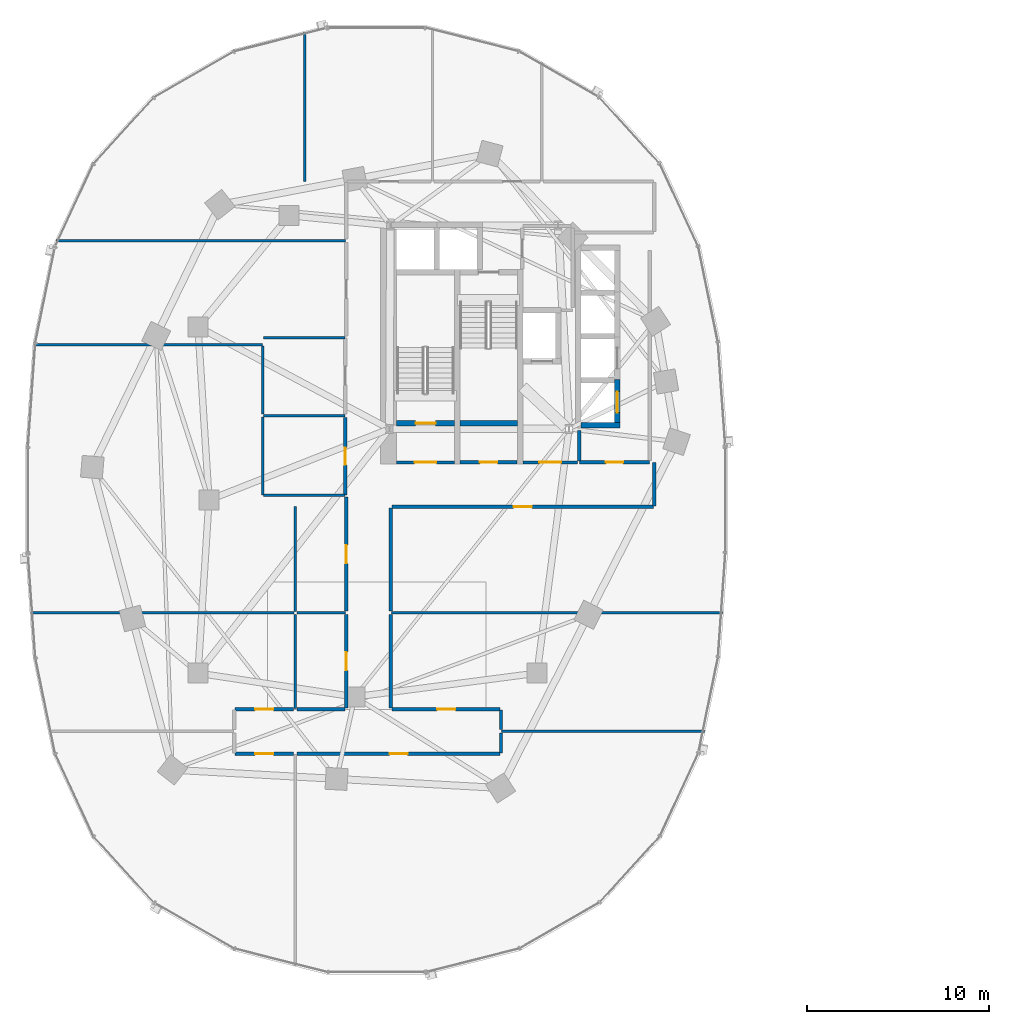
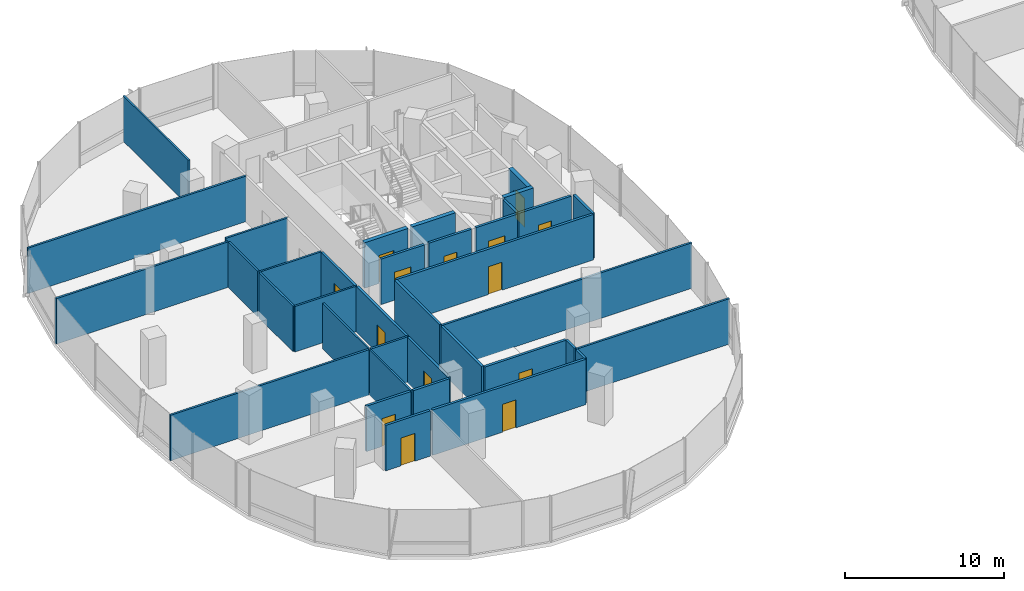
# One storey, part 11 of 22: 37 walls, 14 doors, 14 openings.
"""IFC4 building model written with IfcOpenShell, lengths in metres."""

from ifc_helpers import new_model, si_unit, direction, frame, frame_2d, origin, place, context, subcontext, project, spatial, rectangle, extrude, material, layer, layer_set, type_object, element, fill, save


model = new_model("IFC4")

# Units and contexts
model_context = context("Model", 3, precision=1e-05, world=origin(), true_north=direction((0.0, 1.0)))
body_context = subcontext(model_context, "Body", "Model", "MODEL_VIEW")
ifc_project = project(units=[si_unit("LENGTHUNIT", "METRE"), si_unit("AREAUNIT", "SQUARE_METRE"), si_unit("VOLUMEUNIT", "CUBIC_METRE"), si_unit("PLANEANGLEUNIT", "RADIAN"), si_unit("MASSUNIT", "GRAM", prefix="KILO"), si_unit("THERMODYNAMICTEMPERATUREUNIT", "KELVIN"), si_unit("POWERUNIT", "WATT")], contexts=[model_context])

# Site, building, storey
site_placement = place(None, origin())
site = spatial("IfcSite", under=ifc_project, at=site_placement, CompositionType="ELEMENT")
building_placement = place(site_placement, origin())
building = spatial("IfcBuilding", under=site, at=building_placement, Name="Cundina Bronze Exchange", CompositionType="ELEMENT")
storey_placement = place(building_placement, frame((0.0, 0.0, 35.39990234375)))
storey = spatial("IfcBuildingStorey", under=building, at=storey_placement, Name="L08", CompositionType="ELEMENT", Elevation=35.39990234375)

# Wall
ifc_material_1 = material(Name="Gypsum Fireboard Partition EI120")
ifc_layer_1 = layer(ifc_material_1, 0.179931640625, Name="Gypsum Fireboard Partition EI120")
ifc_layer_set_1 = layer_set([ifc_layer_1], Name="Gypsum Fireboard Partition EI120")
wall_type_1 = type_object("IfcWallType", Name="WL-COR-180", PredefinedType="PARTITIONING", material=ifc_layer_set_1)
wall_1_placement = place(storey_placement, frame((-20.889892578125, 2.14990234375, 0.0), z_axis=(0.0, 0.0, 1.0), x_axis=(0.0, 1.0, 0.0)))
element("IfcWall", 1, at=wall_1_placement, inside=storey, type_object=wall_type_1, Name="L08 W Firefighting Lobby Side Wall", PredefinedType="PARTITIONING", context=body_context, shape_type="SweptSolid", body=[
    extrude(rectangle(XDim=1.650146484375, YDim=0.179931640625, at=frame_2d((0.8251953125, 0.0))), origin(), (0.0, 0.0, 1.0), 3.5),
])

# Wall, opening, door
wall_2_placement = place(storey_placement, frame((-23.97998046875, 2.06005859375, 0.0), z_axis=(0.0, 0.0, 1.0), x_axis=(1.0, 0.0, 0.0)))
wall_2 = element("IfcWall", 2, at=wall_2_placement, inside=storey, type_object=wall_type_1, Name="L08 W Firefighting Lobby Exit Wall", PredefinedType="PARTITIONING", context=body_context, shape_type="SweptSolid", body=[
    extrude(rectangle(XDim=3.0, YDim=0.179931640625, at=frame_2d((1.5, 0.0))), origin(), (0.0, 0.0, 1.0), 3.5),
])
opening_1_placement = place(wall_2_placement, frame((0.89990234375, 0.0, 0.0)))
opening_1 = element("IfcOpeningElement", 3, at=opening_1_placement, cuts=wall_2, Name="Opening DF-01", PredefinedType="OPENING", context=body_context, shape_type="SweptSolid", body=[
    extrude(rectangle(XDim=1.199951171875, YDim=2.14990234375, at=frame_2d((0.60009765625, 1.074951171875))), frame((0.0, 0.099853515625, 0.0), z_axis=(0.0, -1.0, 0.0), x_axis=(1.0, 0.0, 0.0)), (0.0, 0.0, 1.0), 0.199951171875),
])
ifc_material_2 = material(Name="Steel ASTM A36 Painted", Category="steel")
door_type_1 = type_object("IfcDoorType", Name="DR-FFL-1200", OperationType="NOTDEFINED", PredefinedType="DOOR", material=ifc_material_2)
door_1_placement = place(opening_1_placement, origin())
door_1 = element("IfcDoor", 4, at=door_1_placement, inside=storey, type_object=door_type_1, Name="L08 W Firefighting Lobby Door", OperationType="SINGLE_SWING_RIGHT", OverallHeight=2.14990234375, OverallWidth=1.199951171875, PredefinedType="DOOR", context=body_context, shape_type="SweptSolid", body=[
    extrude(rectangle(XDim=1.199951171875, YDim=2.14990234375, at=frame_2d((0.60009765625, 1.074951171875))), frame((0.0, 0.02490234375, 0.0), z_axis=(0.0, -1.0, 0.0), x_axis=(1.0, 0.0, 0.0)), (0.0, 0.0, 1.0), 0.050048828125),
])
fill(opening_1, door_1)

wall_3_placement = place(storey_placement, frame((-30.89990234375, 2.06005859375, 0.0), z_axis=(0.0, 0.0, 1.0), x_axis=(1.0, 0.0, 0.0)))
wall_3 = element("IfcWall", 5, at=wall_3_placement, inside=storey, type_object=wall_type_1, Name="L08 W Stair Vestibule Exit Wall", PredefinedType="PARTITIONING", context=body_context, shape_type="SweptSolid", body=[
    extrude(rectangle(XDim=3.159912109375, YDim=0.179931640625, at=frame_2d((1.580078125, 0.0))), origin(), (0.0, 0.0, 1.0), 3.5),
])
opening_2_placement = place(wall_3_placement, frame((0.97998046875, 0.0, 0.0)))
opening_2 = element("IfcOpeningElement", 6, at=opening_2_placement, cuts=wall_3, Name="Opening DF-01", PredefinedType="OPENING", context=body_context, shape_type="SweptSolid", body=[
    extrude(rectangle(XDim=1.199951171875, YDim=2.14990234375, at=frame_2d((0.60009765625, 1.074951171875))), frame((0.0, 0.099853515625, 0.0), z_axis=(0.0, -1.0, 0.0), x_axis=(1.0, 0.0, 0.0)), (0.0, 0.0, 1.0), 0.199951171875),
])
door_2_placement = place(opening_2_placement, origin())
door_2 = element("IfcDoor", 7, at=door_2_placement, inside=storey, type_object=door_type_1, Name="L08 W Stair Vestibule Door", OperationType="SINGLE_SWING_LEFT", OverallHeight=2.14990234375, OverallWidth=1.199951171875, PredefinedType="DOOR", context=body_context, shape_type="SweptSolid", body=[
    extrude(rectangle(XDim=1.199951171875, YDim=2.14990234375, at=frame_2d((0.60009765625, 1.074951171875))), frame((0.0, 0.02490234375, 0.0), z_axis=(0.0, -1.0, 0.0), x_axis=(1.0, 0.0, 0.0)), (0.0, 0.0, 1.0), 0.050048828125),
])
fill(opening_2, door_2)

wall_4_placement = place(storey_placement, frame((-20.8701171875, 2.070068359375, 0.0), z_axis=(0.0, 0.0, 1.0), x_axis=(1.0, 0.0, 0.0)))
wall_4 = element("IfcWall", 8, at=wall_4_placement, inside=storey, type_object=wall_type_1, Name="L08 Interior Partition 002", PredefinedType="PARTITIONING", context=body_context, shape_type="SweptSolid", body=[
    extrude(rectangle(XDim=3.830078125, YDim=0.179931640625, at=frame_2d((1.9150390625, 0.0))), origin(), (0.0, 0.0, 1.0), 3.5),
])
opening_3_placement = place(wall_4_placement, frame((1.43994140625, 0.0, 0.0)))
opening_3 = element("IfcOpeningElement", 9, at=opening_3_placement, cuts=wall_4, Name="Opening DW-01", PredefinedType="OPENING", context=body_context, shape_type="SweptSolid", body=[
    extrude(rectangle(XDim=0.949951171875, YDim=2.10009765625, at=frame_2d((0.47509765625, 1.050048828125))), frame((0.0, 0.099853515625, 0.0), z_axis=(0.0, -1.0, 0.0), x_axis=(1.0, 0.0, 0.0)), (0.0, 0.0, 1.0), 0.199951171875),
])
ifc_material_3 = material(Name="Solid Andean Oak Timber Grade A", Category="wood")
door_type_2 = type_object("IfcDoorType", Name="DR-WC-950", OperationType="NOTDEFINED", PredefinedType="DOOR", material=ifc_material_3)
door_3_placement = place(opening_3_placement, origin())
door_3 = element("IfcDoor", 10, at=door_3_placement, inside=storey, type_object=door_type_2, Name="L08 Interior Door 002", OperationType="SINGLE_SWING_LEFT", OverallHeight=2.10009765625, OverallWidth=0.949951171875, PredefinedType="DOOR", context=body_context, shape_type="SweptSolid", body=[
    extrude(rectangle(XDim=0.949951171875, YDim=2.10009765625, at=frame_2d((0.47509765625, 1.050048828125))), frame((0.0, 0.02490234375, 0.0), z_axis=(0.0, -1.0, 0.0), x_axis=(1.0, 0.0, 0.0)), (0.0, 0.0, 1.0), 0.050048828125),
])
fill(opening_3, door_3)

wall_5_placement = place(storey_placement, frame((-27.419921875, 2.070068359375, 0.0), z_axis=(0.0, 0.0, 1.0), x_axis=(1.0, 0.0, 0.0)))
wall_5 = element("IfcWall", 11, at=wall_5_placement, inside=storey, type_object=wall_type_1, Name="L08 Interior Partition 006", PredefinedType="PARTITIONING", context=body_context, shape_type="SweptSolid", body=[
    extrude(rectangle(XDim=3.119873046875, YDim=0.179931640625, at=frame_2d((1.56005859375, 0.0))), origin(), (0.0, 0.0, 1.0), 3.5),
])
opening_4_placement = place(wall_5_placement, frame((1.0849609375, 0.0, 0.0)))
opening_4 = element("IfcOpeningElement", 12, at=opening_4_placement, cuts=wall_5, Name="Opening DW-01", PredefinedType="OPENING", context=body_context, shape_type="SweptSolid", body=[
    extrude(rectangle(XDim=0.949951171875, YDim=2.10009765625, at=frame_2d((0.47509765625, 1.050048828125))), frame((0.0, 0.099853515625, 0.0), z_axis=(0.0, -1.0, 0.0), x_axis=(1.0, 0.0, 0.0)), (0.0, 0.0, 1.0), 0.199951171875),
])
door_4_placement = place(opening_4_placement, origin())
door_4 = element("IfcDoor", 13, at=door_4_placement, inside=storey, type_object=door_type_2, Name="L08 Interior Door 006", OperationType="SINGLE_SWING_LEFT", OverallHeight=2.10009765625, OverallWidth=0.949951171875, PredefinedType="DOOR", context=body_context, shape_type="SweptSolid", body=[
    extrude(rectangle(XDim=0.949951171875, YDim=2.10009765625, at=frame_2d((0.47509765625, 1.050048828125))), frame((0.0, 0.02490234375, 0.0), z_axis=(0.0, -1.0, 0.0), x_axis=(1.0, 0.0, 0.0)), (0.0, 0.0, 1.0), 0.050048828125),
])
fill(opening_4, door_4)

wall_6_placement = place(storey_placement, frame((-33.719970703125, 0.27001953125, 0.0), z_axis=(0.0, 0.0, 1.0), x_axis=(0.0, 1.0, 0.0)))
wall_6 = element("IfcWall", 14, at=wall_6_placement, inside=storey, type_object=wall_type_1, Name="L08 Interior Partition 013", PredefinedType="PARTITIONING", context=body_context, shape_type="SweptSolid", body=[
    extrude(rectangle(XDim=4.260009765625, YDim=0.179931640625, at=frame_2d((2.1298828125, 0.0))), origin(), (0.0, 0.0, 1.0), 3.5),
])
opening_5_placement = place(wall_6_placement, frame((1.655029296875, 0.0, 0.0)))
opening_5 = element("IfcOpeningElement", 15, at=opening_5_placement, cuts=wall_6, Name="Opening DW-01", PredefinedType="OPENING", context=body_context, shape_type="SweptSolid", body=[
    extrude(rectangle(XDim=0.949951171875, YDim=2.10009765625, at=frame_2d((0.47509765625, 1.050048828125))), frame((0.0, 0.099853515625, 0.0), z_axis=(0.0, -1.0, 0.0), x_axis=(1.0, 0.0, 0.0)), (0.0, 0.0, 1.0), 0.199951171875),
])
door_5_placement = place(opening_5_placement, origin())
door_5 = element("IfcDoor", 16, at=door_5_placement, inside=storey, type_object=door_type_2, Name="L08 Interior Door 013", OperationType="SINGLE_SWING_LEFT", OverallHeight=2.10009765625, OverallWidth=0.949951171875, PredefinedType="DOOR", context=body_context, shape_type="SweptSolid", body=[
    extrude(rectangle(XDim=0.949951171875, YDim=2.10009765625, at=frame_2d((0.47509765625, 1.050048828125))), frame((0.0, 0.02490234375, 0.0), z_axis=(0.0, -1.0, 0.0), x_axis=(1.0, 0.0, 0.0)), (0.0, 0.0, 1.0), 0.050048828125),
])
fill(opening_5, door_5)

wall_7_placement = place(storey_placement, frame((-36.3701171875, -13.919921875, 0.0), z_axis=(0.0, 0.0, 1.0), x_axis=(1.0, 0.0, 0.0)))
wall_7 = element("IfcWall", 17, at=wall_7_placement, inside=storey, type_object=wall_type_1, Name="L08 Interior Partition 028", PredefinedType="PARTITIONING", context=body_context, shape_type="SweptSolid", body=[
    extrude(rectangle(XDim=11.148681640625, YDim=0.179931640625, at=frame_2d((5.57421875, 0.0))), origin(), (0.0, 0.0, 1.0), 3.5),
])
opening_6_placement = place(wall_7_placement, frame((5.07421875, 0.0, 0.0)))
opening_6 = element("IfcOpeningElement", 18, at=opening_6_placement, cuts=wall_7, Name="Opening DO-01", PredefinedType="OPENING", context=body_context, shape_type="SweptSolid", body=[
    extrude(rectangle(XDim=1.0, YDim=2.14990234375, at=frame_2d((0.5, 1.074951171875))), frame((0.0, 0.099853515625, 0.0), z_axis=(0.0, -1.0, 0.0), x_axis=(1.0, 0.0, 0.0)), (0.0, 0.0, 1.0), 0.199951171875),
])
door_type_3 = type_object("IfcDoorType", Name="DR-OFF-1000", OperationType="NOTDEFINED", PredefinedType="DOOR", material=ifc_material_3)
door_6_placement = place(opening_6_placement, origin())
door_6 = element("IfcDoor", 19, at=door_6_placement, inside=storey, type_object=door_type_3, Name="L08 Interior Door 028", OperationType="SINGLE_SWING_LEFT", OverallHeight=2.14990234375, OverallWidth=1.0, PredefinedType="DOOR", context=body_context, shape_type="SweptSolid", body=[
    extrude(rectangle(XDim=1.0, YDim=2.14990234375, at=frame_2d((0.5, 1.074951171875))), frame((0.0, 0.02490234375, 0.0), z_axis=(0.0, -1.0, 0.0), x_axis=(1.0, 0.0, 0.0)), (0.0, 0.0, 1.0), 0.050048828125),
])
fill(opening_6, door_6)

# Wall
wall_8_placement = place(storey_placement, frame((-25.179931640625, -13.87841796875, 0.0), z_axis=(0.0, 0.0, 1.0), x_axis=(0.0, 1.0, 0.0)))
element("IfcWall", 20, at=wall_8_placement, inside=storey, type_object=wall_type_1, Name="L08 Interior Partition 029", PredefinedType="PARTITIONING", context=body_context, shape_type="SweptSolid", body=[
    extrude(rectangle(XDim=1.098388671875, YDim=0.179931640625, at=frame_2d((0.54931640625, 0.0))), origin(), (0.0, 0.0, 1.0), 3.5),
])

# Wall, opening, door
wall_9_placement = place(storey_placement, frame((-39.778564453125, -13.919921875, 0.0), z_axis=(0.0, 0.0, 1.0), x_axis=(1.0, 0.0, 0.0)))
wall_9 = element("IfcWall", 21, at=wall_9_placement, inside=storey, type_object=wall_type_1, Name="L08 Interior Partition 030", PredefinedType="PARTITIONING", context=body_context, shape_type="SweptSolid", body=[
    extrude(rectangle(XDim=3.228515625, YDim=0.179931640625, at=frame_2d((1.6142578125, 0.0))), origin(), (0.0, 0.0, 1.0), 3.5),
])
opening_7_placement = place(wall_9_placement, frame((1.1142578125, 0.0, 0.0)))
opening_7 = element("IfcOpeningElement", 22, at=opening_7_placement, cuts=wall_9, Name="Opening DO-01", PredefinedType="OPENING", context=body_context, shape_type="SweptSolid", body=[
    extrude(rectangle(XDim=1.0, YDim=2.14990234375, at=frame_2d((0.5, 1.074951171875))), frame((0.0, 0.099853515625, 0.0), z_axis=(0.0, -1.0, 0.0), x_axis=(1.0, 0.0, 0.0)), (0.0, 0.0, 1.0), 0.199951171875),
])
door_7_placement = place(opening_7_placement, origin())
door_7 = element("IfcDoor", 23, at=door_7_placement, inside=storey, type_object=door_type_3, Name="L08 Interior Door 030", OperationType="SINGLE_SWING_LEFT", OverallHeight=2.14990234375, OverallWidth=1.0, PredefinedType="DOOR", context=body_context, shape_type="SweptSolid", body=[
    extrude(rectangle(XDim=1.0, YDim=2.14990234375, at=frame_2d((0.5, 1.074951171875))), frame((0.0, 0.02490234375, 0.0), z_axis=(0.0, -1.0, 0.0), x_axis=(1.0, 0.0, 0.0)), (0.0, 0.0, 1.0), 0.050048828125),
])
fill(opening_7, door_7)

wall_10_placement = place(storey_placement, frame((-36.550048828125, -11.47998046875, 0.0), z_axis=(0.0, 0.0, 1.0), x_axis=(-1.0, 0.0, 0.0)))
wall_10 = element("IfcWall", 24, at=wall_10_placement, inside=storey, type_object=wall_type_1, Name="L08 Interior Partition 032", PredefinedType="PARTITIONING", context=body_context, shape_type="SweptSolid", body=[
    extrude(rectangle(XDim=3.228515625, YDim=0.179931640625, at=frame_2d((1.6142578125, 0.0))), origin(), (0.0, 0.0, 1.0), 3.5),
])
opening_8_placement = place(wall_10_placement, frame((1.1142578125, 0.0, 0.0)))
opening_8 = element("IfcOpeningElement", 25, at=opening_8_placement, cuts=wall_10, Name="Opening DO-01", PredefinedType="OPENING", context=body_context, shape_type="SweptSolid", body=[
    extrude(rectangle(XDim=1.0, YDim=2.14990234375, at=frame_2d((0.5, 1.074951171875))), frame((0.0, 0.099853515625, 0.0), z_axis=(0.0, -1.0, 0.0), x_axis=(1.0, 0.0, 0.0)), (0.0, 0.0, 1.0), 0.199951171875),
])
door_8_placement = place(opening_8_placement, origin())
door_8 = element("IfcDoor", 26, at=door_8_placement, inside=storey, type_object=door_type_3, Name="L08 Interior Door 032", OperationType="SINGLE_SWING_RIGHT", OverallHeight=2.14990234375, OverallWidth=1.0, PredefinedType="DOOR", context=body_context, shape_type="SweptSolid", body=[
    extrude(rectangle(XDim=1.0, YDim=2.14990234375, at=frame_2d((0.5, 1.074951171875))), frame((0.0, 0.02490234375, 0.0), z_axis=(0.0, -1.0, 0.0), x_axis=(1.0, 0.0, 0.0)), (0.0, 0.0, 1.0), 0.050048828125),
])
fill(opening_8, door_8)

wall_11_placement = place(storey_placement, frame((-25.221435546875, -11.47998046875, 0.0), z_axis=(0.0, 0.0, 1.0), x_axis=(-1.0, 0.0, 0.0)))
wall_11 = element("IfcWall", 27, at=wall_11_placement, inside=storey, type_object=wall_type_1, Name="L08 Interior Partition 034", PredefinedType="PARTITIONING", context=body_context, shape_type="SweptSolid", body=[
    extrude(rectangle(XDim=5.928466796875, YDim=0.179931640625, at=frame_2d((2.96435546875, 0.0))), origin(), (0.0, 0.0, 1.0), 3.5),
])
opening_9_placement = place(wall_11_placement, frame((2.464111328125, 0.0, 0.0)))
opening_9 = element("IfcOpeningElement", 28, at=opening_9_placement, cuts=wall_11, Name="Opening DO-01", PredefinedType="OPENING", context=body_context, shape_type="SweptSolid", body=[
    extrude(rectangle(XDim=1.0, YDim=2.14990234375, at=frame_2d((0.5, 1.074951171875))), frame((0.0, 0.099853515625, 0.0), z_axis=(0.0, -1.0, 0.0), x_axis=(1.0, 0.0, 0.0)), (0.0, 0.0, 1.0), 0.199951171875),
])
door_9_placement = place(opening_9_placement, origin())
door_9 = element("IfcDoor", 29, at=door_9_placement, inside=storey, type_object=door_type_3, Name="L08 Interior Door 034", OperationType="SINGLE_SWING_LEFT", OverallHeight=2.14990234375, OverallWidth=1.0, PredefinedType="DOOR", context=body_context, shape_type="SweptSolid", body=[
    extrude(rectangle(XDim=1.0, YDim=2.14990234375, at=frame_2d((0.5, 1.074951171875))), frame((0.0, 0.02490234375, 0.0), z_axis=(0.0, -1.0, 0.0), x_axis=(1.0, 0.0, 0.0)), (0.0, 0.0, 1.0), 0.050048828125),
])
fill(opening_9, door_9)

# Walls
wall_12_placement = place(storey_placement, frame((-31.22998046875, -11.39990234375, 0.0), z_axis=(0.0, 0.0, 1.0), x_axis=(0.0, 1.0, 0.0)))
element("IfcWall", 30, at=wall_12_placement, inside=storey, type_object=wall_type_1, Name="L08 Interior Partition 035", PredefinedType="PARTITIONING", context=body_context, shape_type="SweptSolid", body=[
    extrude(rectangle(XDim=5.119873046875, YDim=0.179931640625, at=frame_2d((2.56005859375, 0.0))), origin(), (0.0, 0.0, 1.0), 3.5),
])
wall_13_placement = place(storey_placement, frame((-25.179931640625, -12.60009765625, 0.0), z_axis=(0.0, 0.0, 1.0), x_axis=(0.0, 1.0, 0.0)))
element("IfcWall", 31, at=wall_13_placement, inside=storey, type_object=wall_type_1, Name="L08 Interior Partition 036", PredefinedType="PARTITIONING", context=body_context, shape_type="SweptSolid", body=[
    extrude(rectangle(XDim=1.07861328125, YDim=0.179931640625, at=frame_2d((0.539306640625, 0.0))), origin(), (0.0, 0.0, 1.0), 3.5),
])

# Wall, opening, door
wall_14_placement = place(storey_placement, frame((-33.669921875, -6.280029296875, 0.0), z_axis=(0.0, 0.0, 1.0), x_axis=(0.0, -1.0, 0.0)))
wall_14 = element("IfcWall", 32, at=wall_14_placement, inside=storey, type_object=wall_type_1, Name="L08 Interior Partition 037", PredefinedType="PARTITIONING", context=body_context, shape_type="SweptSolid", body=[
    extrude(rectangle(XDim=5.119873046875, YDim=0.179931640625, at=frame_2d((2.56005859375, 0.0))), origin(), (0.0, 0.0, 1.0), 3.5),
])
opening_10_placement = place(wall_14_placement, frame((2.06005859375, 0.0, 0.0)))
opening_10 = element("IfcOpeningElement", 33, at=opening_10_placement, cuts=wall_14, Name="Opening DO-01", PredefinedType="OPENING", context=body_context, shape_type="SweptSolid", body=[
    extrude(rectangle(XDim=1.0, YDim=2.14990234375, at=frame_2d((0.5, 1.074951171875))), frame((0.0, 0.099853515625, 0.0), z_axis=(0.0, -1.0, 0.0), x_axis=(1.0, 0.0, 0.0)), (0.0, 0.0, 1.0), 0.199951171875),
])
door_10_placement = place(opening_10_placement, origin())
door_10 = element("IfcDoor", 34, at=door_10_placement, inside=storey, type_object=door_type_3, Name="L08 Interior Door 037", OperationType="SINGLE_SWING_LEFT", OverallHeight=2.14990234375, OverallWidth=1.0, PredefinedType="DOOR", context=body_context, shape_type="SweptSolid", body=[
    extrude(rectangle(XDim=1.0, YDim=2.14990234375, at=frame_2d((0.5, 1.074951171875))), frame((0.0, 0.02490234375, 0.0), z_axis=(0.0, -1.0, 0.0), x_axis=(1.0, 0.0, 0.0)), (0.0, 0.0, 1.0), 0.050048828125),
])
fill(opening_10, door_10)

# Wall
wall_15_placement = place(storey_placement, frame((-33.75, -11.47998046875, 0.0), z_axis=(0.0, 0.0, 1.0), x_axis=(-1.0, 0.0, 0.0)))
element("IfcWall", 35, at=wall_15_placement, inside=storey, type_object=wall_type_1, Name="L08 Interior Partition 038", PredefinedType="PARTITIONING", context=body_context, shape_type="SweptSolid", body=[
    extrude(rectangle(XDim=2.6201171875, YDim=0.179931640625, at=frame_2d((1.31005859375, 0.0))), origin(), (0.0, 0.0, 1.0), 3.5),
])

# Wall, opening, door
wall_16_placement = place(storey_placement, frame((-33.669921875, 0.15869140625, 0.0), z_axis=(0.0, 0.0, 1.0), x_axis=(0.0, -1.0, 0.0)))
wall_16 = element("IfcWall", 36, at=wall_16_placement, inside=storey, type_object=wall_type_1, Name="L08 Interior Partition 039", PredefinedType="PARTITIONING", context=body_context, shape_type="SweptSolid", body=[
    extrude(rectangle(XDim=6.2587890625, YDim=0.179931640625, at=frame_2d((3.12939453125, 0.0))), origin(), (0.0, 0.0, 1.0), 3.5),
])
opening_11_placement = place(wall_16_placement, frame((2.62939453125, 0.0, 0.0)))
opening_11 = element("IfcOpeningElement", 37, at=opening_11_placement, cuts=wall_16, Name="Opening DO-01", PredefinedType="OPENING", context=body_context, shape_type="SweptSolid", body=[
    extrude(rectangle(XDim=1.0, YDim=2.14990234375, at=frame_2d((0.5, 1.074951171875))), frame((0.0, 0.099853515625, 0.0), z_axis=(0.0, -1.0, 0.0), x_axis=(1.0, 0.0, 0.0)), (0.0, 0.0, 1.0), 0.199951171875),
])
door_11_placement = place(opening_11_placement, origin())
door_11 = element("IfcDoor", 38, at=door_11_placement, inside=storey, type_object=door_type_3, Name="L08 Interior Door 039", OperationType="SINGLE_SWING_LEFT", OverallHeight=2.14990234375, OverallWidth=1.0, PredefinedType="DOOR", context=body_context, shape_type="SweptSolid", body=[
    extrude(rectangle(XDim=1.0, YDim=2.14990234375, at=frame_2d((0.5, 1.074951171875))), frame((0.0, 0.02490234375, 0.0), z_axis=(0.0, -1.0, 0.0), x_axis=(1.0, 0.0, 0.0)), (0.0, 0.0, 1.0), 0.050048828125),
])
fill(opening_11, door_11)

wall_17_placement = place(storey_placement, frame((-31.14990234375, -0.3701171875, 0.0), z_axis=(0.0, 0.0, 1.0), x_axis=(1.0, 0.0, 0.0)))
wall_17 = element("IfcWall", 39, at=wall_17_placement, inside=storey, type_object=wall_type_1, Name="L08 Interior Partition 040", PredefinedType="PARTITIONING", context=body_context, shape_type="SweptSolid", body=[
    extrude(rectangle(XDim=14.328369140625, YDim=0.179931640625, at=frame_2d((7.1640625, 0.0))), origin(), (0.0, 0.0, 1.0), 3.5),
])
opening_12_placement = place(wall_17_placement, frame((6.664306640625, 0.0, 0.0)))
opening_12 = element("IfcOpeningElement", 40, at=opening_12_placement, cuts=wall_17, Name="Opening DO-01", PredefinedType="OPENING", context=body_context, shape_type="SweptSolid", body=[
    extrude(rectangle(XDim=1.0, YDim=2.14990234375, at=frame_2d((0.5, 1.074951171875))), frame((0.0, 0.099853515625, 0.0), z_axis=(0.0, -1.0, 0.0), x_axis=(1.0, 0.0, 0.0)), (0.0, 0.0, 1.0), 0.199951171875),
])
door_12_placement = place(opening_12_placement, origin())
door_12 = element("IfcDoor", 41, at=door_12_placement, inside=storey, type_object=door_type_3, Name="L08 Interior Door 040", OperationType="SINGLE_SWING_LEFT", OverallHeight=2.14990234375, OverallWidth=1.0, PredefinedType="DOOR", context=body_context, shape_type="SweptSolid", body=[
    extrude(rectangle(XDim=1.0, YDim=2.14990234375, at=frame_2d((0.5, 1.074951171875))), frame((0.0, 0.02490234375, 0.0), z_axis=(0.0, -1.0, 0.0), x_axis=(1.0, 0.0, 0.0)), (0.0, 0.0, 1.0), 0.050048828125),
])
fill(opening_12, door_12)

# Walls
wall_18_placement = place(storey_placement, frame((-31.22998046875, -6.10009765625, 0.0), z_axis=(0.0, 0.0, 1.0), x_axis=(0.0, 1.0, 0.0)))
element("IfcWall", 42, at=wall_18_placement, inside=storey, type_object=wall_type_1, Name="L08 Interior Partition 042", PredefinedType="PARTITIONING", context=body_context, shape_type="SweptSolid", body=[
    extrude(rectangle(XDim=5.650146484375, YDim=0.179931640625, at=frame_2d((2.8251953125, 0.0))), origin(), (0.0, 0.0, 1.0), 3.5),
])
wall_19_placement = place(storey_placement, frame((-16.780029296875, -0.32861328125, 0.0), z_axis=(0.0, 0.0, 1.0), x_axis=(0.0, 1.0, 0.0)))
element("IfcWall", 43, at=wall_19_placement, inside=storey, type_object=wall_type_1, Name="L08 Interior Partition 045", PredefinedType="PARTITIONING", context=body_context, shape_type="SweptSolid", body=[
    extrude(rectangle(XDim=2.38720703125, YDim=0.179931640625, at=frame_2d((1.193603515625, 0.0))), origin(), (0.0, 0.0, 1.0), 3.5),
])
ifc_material_4 = material(Name="Gypsum Acoustic Partition EI60")
ifc_layer_2 = layer(ifc_material_4, 0.125, Name="Gypsum Acoustic Partition EI60")
ifc_layer_set_2 = layer_set([ifc_layer_2], Name="Gypsum Acoustic Partition EI60")
wall_type_2 = type_object("IfcWallType", Name="WL-OFF-125", PredefinedType="PARTITIONING", material=ifc_layer_set_2)
wall_20_placement = place(storey_placement, frame((-36.4599609375, -11.449951171875, 0.0), z_axis=(0.0, 0.0, 1.0), x_axis=(0.0, 1.0, 0.0)))
element("IfcWall", 44, at=wall_20_placement, inside=storey, type_object=wall_type_2, Name="L08 Interior Partition 016", PredefinedType="PARTITIONING", context=body_context, shape_type="SweptSolid", body=[
    extrude(rectangle(XDim=5.175048828125, YDim=0.125, at=frame_2d((2.58740234375, 0.0))), origin(), (0.0, 0.0, 1.0), 3.5),
])
wall_21_placement = place(storey_placement, frame((-36.4599609375, -6.10498046875, 0.0), z_axis=(0.0, 0.0, 1.0), x_axis=(0.0, 1.0, 0.0)))
element("IfcWall", 45, at=wall_21_placement, inside=storey, type_object=wall_type_2, Name="L08 Interior Partition 017", PredefinedType="PARTITIONING", context=body_context, shape_type="SweptSolid", body=[
    extrude(rectangle(XDim=5.73486328125, YDim=0.125, at=frame_2d((2.867431640625, 0.0))), origin(), (0.0, 0.0, 1.0), 3.5),
])
wall_22_placement = place(storey_placement, frame((-35.93994140625, 17.469970703125, 0.0), z_axis=(0.0, 0.0, 1.0), x_axis=(0.0, 1.0, 0.0)))
element("IfcWall", 46, at=wall_22_placement, inside=storey, type_object=wall_type_2, Name="L08 Interior Partition 025", PredefinedType="PARTITIONING", context=body_context, shape_type="SweptSolid", body=[
    extrude(rectangle(XDim=8.202392578125, YDim=0.125, at=frame_2d((4.10107421875, 0.0))), origin(), (0.0, 0.0, 1.0), 3.5),
])

# Wall, opening, door
ifc_material_5 = material(Name="Concrete C50/60", Category="concrete")
ifc_layer_3 = layer(ifc_material_5, 0.300048828125, Name="Concrete C50/60", Category="concrete")
ifc_layer_set_3 = layer_set([ifc_layer_3], Name="Concrete C50/60")
wall_type_3 = type_object("IfcWallType", Name="WL-SHFT-300", PredefinedType="SHEAR", material=ifc_layer_set_3)
wall_23_placement = place(storey_placement, frame((-30.89990234375, 4.199951171875, 0.0), z_axis=(0.0, 0.0, 1.0), x_axis=(1.0, 0.0, 0.0)))
wall_23 = element("IfcWall", 47, at=wall_23_placement, inside=storey, type_object=wall_type_3, Name="L08 Stair W1 Landing Wall", PredefinedType="SHEAR", context=body_context, shape_type="SweptSolid", body=[
    extrude(rectangle(XDim=3.159912109375, YDim=0.300048828125, at=frame_2d((1.580078125, 0.0))), origin(), (0.0, 0.0, 1.0), 3.5),
])
opening_13_placement = place(wall_23_placement, frame((1.030029296875, 0.0, 0.0)))
opening_13 = element("IfcOpeningElement", 48, at=opening_13_placement, cuts=wall_23, Name="Opening DS-01", PredefinedType="OPENING", context=body_context, shape_type="SweptSolid", body=[
    extrude(rectangle(XDim=1.10009765625, YDim=2.14990234375, at=frame_2d((0.550048828125, 1.074951171875))), frame((0.0, 0.159912109375, 0.0), z_axis=(0.0, -1.0, 0.0), x_axis=(1.0, 0.0, 0.0)), (0.0, 0.0, 1.0), 0.320068359375),
])
door_type_4 = type_object("IfcDoorType", Name="DR-STR-1100", OperationType="NOTDEFINED", PredefinedType="DOOR", material=ifc_material_2)
door_13_placement = place(opening_13_placement, origin())
door_13 = element("IfcDoor", 49, at=door_13_placement, inside=storey, type_object=door_type_4, Name="L08 Smokeproof Stair W1 Door", OperationType="SINGLE_SWING_RIGHT", OverallHeight=2.14990234375, OverallWidth=1.10009765625, PredefinedType="DOOR", context=body_context, shape_type="SweptSolid", body=[
    extrude(rectangle(XDim=1.10009765625, YDim=2.14990234375, at=frame_2d((0.550048828125, 1.074951171875))), frame((0.0, 0.02490234375, 0.0), z_axis=(0.0, -1.0, 0.0), x_axis=(1.0, 0.0, 0.0)), (0.0, 0.0, 1.0), 0.050048828125),
])
fill(opening_13, door_13)

# Walls
wall_24_placement = place(storey_placement, frame((-27.43994140625, 4.199951171875, 0.0), z_axis=(0.0, 0.0, 1.0), x_axis=(1.0, 0.0, 0.0)))
element("IfcWall", 50, at=wall_24_placement, inside=storey, type_object=wall_type_3, Name="L08 Stair W2 Far Shaft Wall", PredefinedType="SHEAR", context=body_context, shape_type="SweptSolid", body=[
    extrude(rectangle(XDim=3.159912109375, YDim=0.300048828125, at=frame_2d((1.580078125, 0.0))), origin(), (0.0, 0.0, 1.0), 3.5),
])
wall_25_placement = place(storey_placement, frame((-20.800048828125, 4.10009765625, 0.0), z_axis=(0.0, 0.0, 1.0), x_axis=(1.0, 0.0, 0.0)))
element("IfcWall", 51, at=wall_25_placement, inside=storey, type_object=wall_type_3, Name="L08 W Passenger Bank South Cap Wall", PredefinedType="SHEAR", context=body_context, shape_type="SweptSolid", body=[
    extrude(rectangle(XDim=2.150146484375, YDim=0.300048828125, at=frame_2d((1.0751953125, 0.0))), origin(), (0.0, 0.0, 1.0), 3.5),
])

# Wall, opening, door
wall_26_placement = place(storey_placement, frame((-18.800048828125, 4.1298828125, 0.0), z_axis=(0.0, 0.0, 1.0), x_axis=(0.0, 1.0, 0.0)))
wall_26 = element("IfcWall", 52, at=wall_26_placement, inside=storey, type_object=wall_type_3, Name="L08 PL-W2 Hoistway Front Wall", PredefinedType="SHEAR", context=body_context, shape_type="SweptSolid", body=[
    extrude(rectangle(XDim=2.490234375, YDim=0.300048828125, at=frame_2d((1.2451171875, 0.0))), origin(), (0.0, 0.0, 1.0), 3.5),
])
opening_14_placement = place(wall_26_placement, frame((0.669921875, 0.0, 0.0)))
opening_14 = element("IfcOpeningElement", 53, at=opening_14_placement, cuts=wall_26, Name="Opening LD-01", PredefinedType="OPENING", context=body_context, shape_type="SweptSolid", body=[
    extrude(rectangle(XDim=1.14990234375, YDim=2.199951171875, at=frame_2d((0.574951171875, 1.10009765625))), frame((0.0, 0.159912109375, 0.0), z_axis=(0.0, -1.0, 0.0), x_axis=(1.0, 0.0, 0.0)), (0.0, 0.0, 1.0), 0.320068359375),
])
door_type_5 = type_object("IfcDoorType", Name="DR-LND-1150", OperationType="NOTDEFINED", PredefinedType="TRAPDOOR", material=ifc_material_2)
door_14_placement = place(opening_14_placement, origin())
door_14 = element("IfcDoor", 54, at=door_14_placement, inside=storey, type_object=door_type_5, Name="L08 PL-W2 Sliding Landing Door", OperationType="SLIDING_TO_LEFT", OverallHeight=2.199951171875, OverallWidth=1.14990234375, PredefinedType="TRAPDOOR", context=body_context, shape_type="SweptSolid", body=[
    extrude(rectangle(XDim=1.14990234375, YDim=2.199951171875, at=frame_2d((0.574951171875, 1.10009765625))), frame((0.0, 0.02490234375, 0.0), z_axis=(0.0, -1.0, 0.0), x_axis=(1.0, 0.0, 0.0)), (0.0, 0.0, 1.0), 0.050048828125),
])
fill(opening_14, door_14)

# Walls
ifc_layer_4 = layer(ifc_material_4, 0.14990234375, Name="Gypsum Acoustic Partition EI60")
ifc_layer_set_4 = layer_set([ifc_layer_4], Name="Gypsum Acoustic Partition EI60")
wall_type_4 = type_object("IfcWallType", Name="WL-TEN-150", PredefinedType="PARTITIONING", material=ifc_layer_set_4)
wall_27_placement = place(storey_placement, frame((-50.978515625, -6.18994140625, 0.0), z_axis=(0.0, 0.0, 1.0), x_axis=(1.0, 0.0, 0.0)))
element("IfcWall", 55, at=wall_27_placement, inside=storey, type_object=wall_type_4, Name="L08 Interior Partition 018", PredefinedType="PARTITIONING", context=body_context, shape_type="SweptSolid", body=[
    extrude(rectangle(XDim=14.43359375, YDim=0.14990234375, at=frame_2d((7.216796875, 0.0))), origin(), (0.0, 0.0, 1.0), 3.5),
])
wall_28_placement = place(storey_placement, frame((-36.375, -6.18994140625, 0.0), z_axis=(0.0, 0.0, 1.0), x_axis=(1.0, 0.0, 0.0)))
element("IfcWall", 56, at=wall_28_placement, inside=storey, type_object=wall_type_4, Name="L08 Interior Partition 019", PredefinedType="PARTITIONING", context=body_context, shape_type="SweptSolid", body=[
    extrude(rectangle(XDim=2.675048828125, YDim=0.14990234375, at=frame_2d((1.33740234375, 0.0))), origin(), (0.0, 0.0, 1.0), 3.5),
])
wall_29_placement = place(storey_placement, frame((-31.199951171875, -6.18994140625, 0.0), z_axis=(0.0, 0.0, 1.0), x_axis=(1.0, 0.0, 0.0)))
element("IfcWall", 57, at=wall_29_placement, inside=storey, type_object=wall_type_4, Name="L08 Interior Partition 020", PredefinedType="PARTITIONING", context=body_context, shape_type="SweptSolid", body=[
    extrude(rectangle(XDim=18.178466796875, YDim=0.14990234375, at=frame_2d((9.08935546875, 0.0))), origin(), (0.0, 0.0, 1.0), 3.5),
])
wall_30_placement = place(storey_placement, frame((-25.14990234375, -12.68994140625, 0.0), z_axis=(0.0, 0.0, 1.0), x_axis=(1.0, 0.0, 0.0)))
element("IfcWall", 58, at=wall_30_placement, inside=storey, type_object=wall_type_4, Name="L08 Interior Partition 022", PredefinedType="PARTITIONING", context=body_context, shape_type="SweptSolid", body=[
    extrude(rectangle(XDim=11.1240234375, YDim=0.14990234375, at=frame_2d((5.56201171875, 0.0))), origin(), (0.0, 0.0, 1.0), 3.5),
])
wall_31_placement = place(storey_placement, frame((-50.814208984375, 8.52001953125, 0.0), z_axis=(0.0, 0.0, 1.0), x_axis=(1.0, 0.0, 0.0)))
element("IfcWall", 59, at=wall_31_placement, inside=storey, type_object=wall_type_4, Name="L08 Interior Partition 023", PredefinedType="PARTITIONING", context=body_context, shape_type="SweptSolid", body=[
    extrude(rectangle(XDim=12.544189453125, YDim=0.14990234375, at=frame_2d((6.27197265625, 0.0))), origin(), (0.0, 0.0, 1.0), 3.5),
])
wall_32_placement = place(storey_placement, frame((-49.584716796875, 14.219970703125, 0.0), z_axis=(0.0, 0.0, 1.0), x_axis=(1.0, 0.0, 0.0)))
element("IfcWall", 60, at=wall_32_placement, inside=storey, type_object=wall_type_4, Name="L08 Interior Partition 024", PredefinedType="PARTITIONING", context=body_context, shape_type="SweptSolid", body=[
    extrude(rectangle(XDim=15.884765625, YDim=0.14990234375, at=frame_2d((7.9423828125, 0.0))), origin(), (0.0, 0.0, 1.0), 3.5),
])
ifc_material_6 = material(Name="Moisture-Resistant Masonry Block Grade M15", Category="masonry")
ifc_layer_5 = layer(ifc_material_6, 0.139892578125, Name="Moisture-Resistant Masonry Block Grade M15", Category="masonry")
ifc_layer_set_5 = layer_set([ifc_layer_5], Name="Moisture-Resistant Masonry Block Grade M15")
wall_type_5 = type_object("IfcWallType", Name="WL-WET-140", PredefinedType="PARTITIONING", material=ifc_layer_set_5)
wall_33_placement = place(storey_placement, frame((-38.239990234375, 0.27001953125, 0.0), z_axis=(0.0, 0.0, 1.0), x_axis=(0.0, 1.0, 0.0)))
element("IfcWall", 61, at=wall_33_placement, inside=storey, type_object=wall_type_5, Name="L08 Interior Partition 008", PredefinedType="PARTITIONING", context=body_context, shape_type="SweptSolid", body=[
    extrude(rectangle(XDim=4.27490234375, YDim=0.139892578125, at=frame_2d((2.137451171875, 0.0))), origin(), (0.0, 0.0, 1.0), 3.5),
])
wall_34_placement = place(storey_placement, frame((-38.239990234375, 4.715087890625, 0.0), z_axis=(0.0, 0.0, 1.0), x_axis=(0.0, 1.0, 0.0)))
element("IfcWall", 62, at=wall_34_placement, inside=storey, type_object=wall_type_5, Name="L08 Interior Partition 009", PredefinedType="PARTITIONING", context=body_context, shape_type="SweptSolid", body=[
    extrude(rectangle(XDim=3.719970703125, YDim=0.139892578125, at=frame_2d((1.85986328125, 0.0))), origin(), (0.0, 0.0, 1.0), 3.5),
])
for number, where, z_axis, x_axis, name in (
    (63, (-38.219970703125, 0.25, 0.0), (0.0, 0.0, 1.0), (1.0, 0.0, 0.0), "L08 Interior Partition 010"),
    (64, (-38.219970703125, 4.6298828125, 0.0), (0.0, 0.0, 1.0), (1.0, 0.0, 0.0), "L08 Interior Partition 011"),
    (65, (-38.219970703125, 8.909912109375, 0.0), (0.0, 0.0, 1.0), (1.0, 0.0, 0.0), "L08 Interior Partition 012"),
):
    element("IfcWall", number, at=place(storey_placement, frame(where, z_axis=z_axis, x_axis=x_axis)), inside=storey, type_object=wall_type_5, Name=name, PredefinedType="PARTITIONING", context=body_context, shape_type="SweptSolid", body=[
        extrude(rectangle(XDim=4.47998046875, YDim=0.139892578125, at=frame_2d((2.239990234375, 0.0))), origin(), (0.0, 0.0, 1.0), 3.5),
    ])

save(model, "model.ifc")
